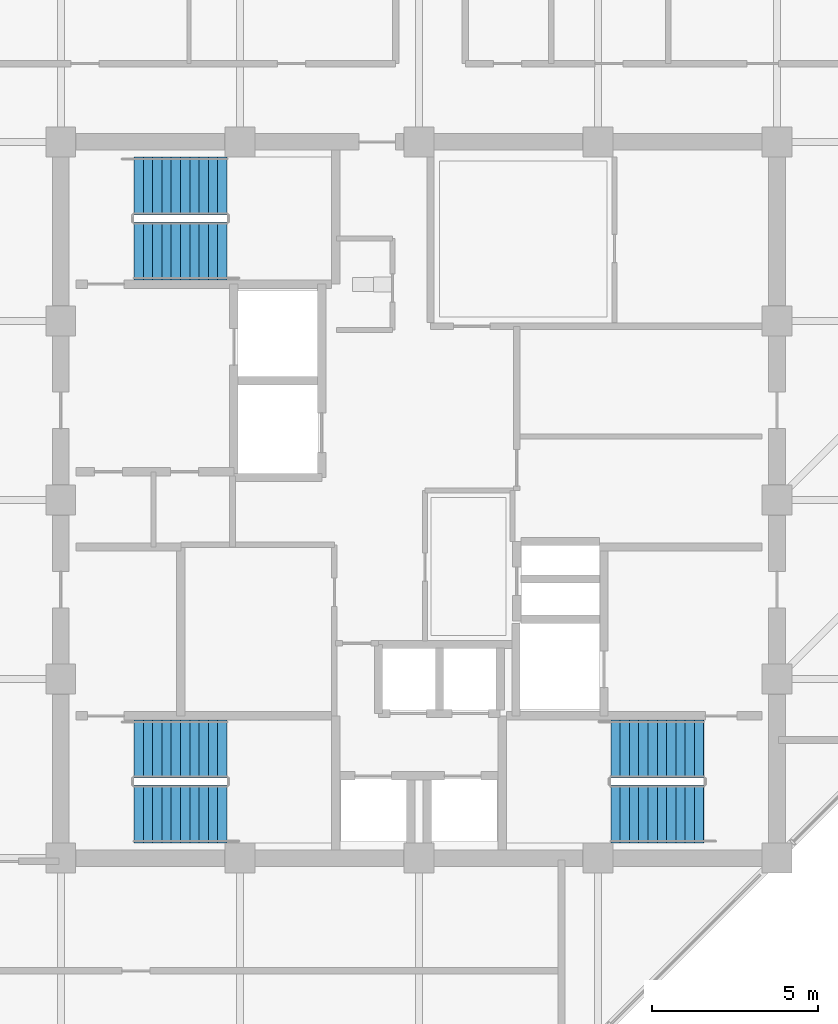
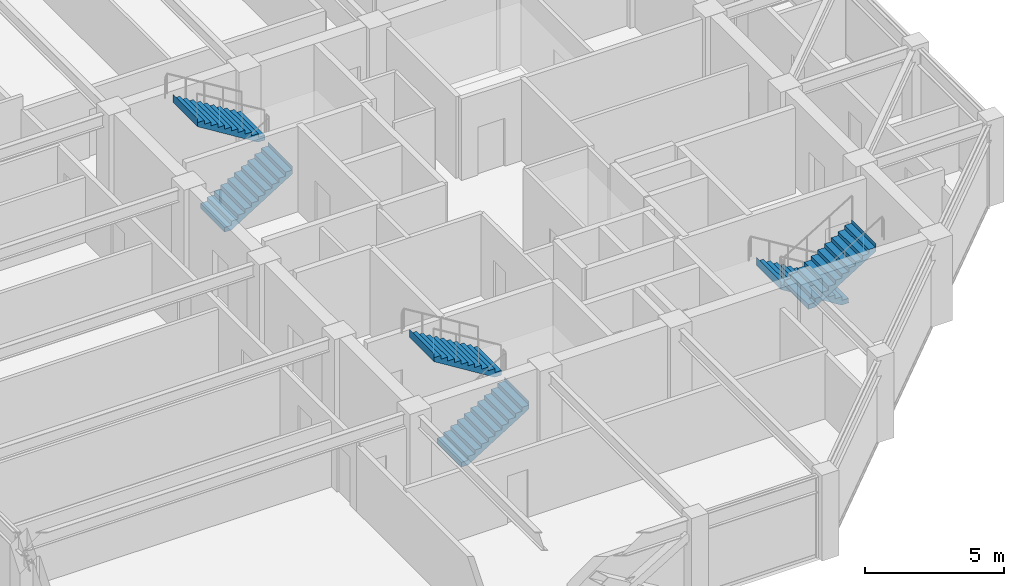
# One storey, part 29 of 31: 6 stair flights, 3 elements without a shape of their own.
"""IFC4 building model written with IfcOpenShell, lengths in metres."""

from ifc_helpers import new_model, si_unit, direction, frame, origin, place, context, subcontext, project, spatial, polyline, outline, extrude, material, type_object, element, aggregate, save


model = new_model("IFC4")

# Units and contexts
model_context = context("Model", 3, precision=1e-05, world=origin(), true_north=direction((0.0, 1.0)))
body_context = subcontext(model_context, "Body", "Model", "MODEL_VIEW")
ifc_project = project(units=[si_unit("LENGTHUNIT", "METRE"), si_unit("AREAUNIT", "SQUARE_METRE"), si_unit("VOLUMEUNIT", "CUBIC_METRE"), si_unit("PLANEANGLEUNIT", "RADIAN"), si_unit("MASSUNIT", "GRAM", prefix="KILO")], contexts=[model_context])

# Site, building, storey
site_placement = place(None, origin())
site = spatial("IfcSite", under=ifc_project, at=site_placement, CompositionType="ELEMENT")
building_placement = place(site_placement, origin())
building = spatial("IfcBuilding", under=site, at=building_placement, Name="Surkhivell Harbour Commons", CompositionType="ELEMENT")
storey_placement = place(building_placement, frame((0.0, 0.0, 330.0)))
storey = spatial("IfcBuildingStorey", under=building, at=storey_placement, Name="L86", CompositionType="ELEMENT", Elevation=330.0)

# Stair, stair flights
ifc_material = material(Name="Precast concrete C45/55", Category="concrete")
stair_type = type_object("IfcStairType", Name="STR-DL-375", PredefinedType="HALF_TURN_STAIR", material=ifc_material)
stair_1_placement = place(storey_placement, origin())
stair_1 = element("IfcStair", 1, at=stair_1_placement, inside=storey, type_object=stair_type, Name="L86 Core Exit Stair ST1", PredefinedType="HALF_TURN_STAIR")
stair_flight_type = type_object("IfcStairFlightType", Name="STF-DL-375", PredefinedType="STRAIGHT", material=ifc_material)
stair_flight_1_placement = place(storey_placement, frame((-8.590087890625, 7.514892578125, 0.0), z_axis=(0.0, 0.0, 1.0), x_axis=(1.0, 0.0, 0.0)))
stair_flight_1 = element("IfcStairFlight", 2, at=stair_flight_1_placement, type_object=stair_flight_type, Name="ST1 flight 1", NumberOfRisers=11, NumberOfTreads=10, PredefinedType="STRAIGHT", RiserHeight=0.170454545, TreadLength=0.28, context=body_context, shape_type="SweptSolid", body=[
    extrude(outline(polyline([(-0.0029296875, -0.034912109375), (-0.0029296875, 0.0), (0.0, 0.0), (0.0, 0.17041015625), (0.280029296875, 0.17041015625), (0.280029296875, 0.3408203125), (0.56005859375, 0.3408203125), (0.56005859375, 0.511474609375), (0.840087890625, 0.511474609375), (0.840087890625, 0.681884765625), (1.1201171875, 0.681884765625), (1.1201171875, 0.852294921875), (1.39990234375, 0.852294921875), (1.39990234375, 1.022705078125), (1.679931640625, 1.022705078125), (1.679931640625, 1.193115234375), (1.9599609375, 1.193115234375), (1.9599609375, 1.363525390625), (2.239990234375, 1.363525390625), (2.239990234375, 1.5341796875), (2.52001953125, 1.5341796875), (2.52001953125, 1.70458984375), (2.800048828125, 1.70458984375), (2.800048828125, 1.875), (2.802978515625, 1.875), (2.802978515625, 1.529052734375), (0.288330078125, -0.034912109375), (-0.0029296875, -0.034912109375)])), frame((0.0, 0.875, 0.0), z_axis=(0.0, -1.0, 0.0), x_axis=(1.0, 0.0, 0.0)), (0.0, 0.0, 1.0), 1.75),
])
stair_flight_2_placement = place(storey_placement, frame((-5.7900390625, 9.465087890625, 1.875), z_axis=(0.0, 0.0, 1.0), x_axis=(-1.0, 0.0, 0.0)))
stair_flight_2 = element("IfcStairFlight", 3, at=stair_flight_2_placement, type_object=stair_flight_type, Name="ST1 flight 2", NumberOfRisers=11, NumberOfTreads=10, PredefinedType="STRAIGHT", RiserHeight=0.170454545, TreadLength=0.28, context=body_context, shape_type="SweptSolid", body=[
    extrude(outline(polyline([(-0.0029296875, -0.034912109375), (-0.0029296875, 0.0), (0.0, 0.0), (0.0, 0.17041015625), (0.280029296875, 0.17041015625), (0.280029296875, 0.3408203125), (0.56005859375, 0.3408203125), (0.56005859375, 0.511474609375), (0.840087890625, 0.511474609375), (0.840087890625, 0.681884765625), (1.1201171875, 0.681884765625), (1.1201171875, 0.852294921875), (1.39990234375, 0.852294921875), (1.39990234375, 1.022705078125), (1.679931640625, 1.022705078125), (1.679931640625, 1.193115234375), (1.9599609375, 1.193115234375), (1.9599609375, 1.363525390625), (2.239990234375, 1.363525390625), (2.239990234375, 1.5341796875), (2.52001953125, 1.5341796875), (2.52001953125, 1.70458984375), (2.800048828125, 1.70458984375), (2.800048828125, 1.875), (2.802978515625, 1.875), (2.802978515625, 1.529052734375), (0.288330078125, -0.034912109375), (-0.0029296875, -0.034912109375)])), frame((0.0, 0.875, 0.0), z_axis=(0.0, -1.0, 0.0), x_axis=(1.0, 0.0, 0.0)), (0.0, 0.0, 1.0), 1.75),
])
aggregate(stair_1, [stair_flight_1, stair_flight_2])

stair_2_placement = place(storey_placement, origin())
stair_2 = element("IfcStair", 4, at=stair_2_placement, inside=storey, type_object=stair_type, Name="L86 Core Exit Stair ST2", PredefinedType="HALF_TURN_STAIR")
stair_flight_3_placement = place(storey_placement, frame((8.590087890625, -7.514892578125, 0.0), z_axis=(0.0, 0.0, 1.0), x_axis=(-1.0, 0.0, 0.0)))
stair_flight_3 = element("IfcStairFlight", 5, at=stair_flight_3_placement, type_object=stair_flight_type, Name="ST2 flight 1", NumberOfRisers=11, NumberOfTreads=10, PredefinedType="STRAIGHT", RiserHeight=0.170454545, TreadLength=0.28, context=body_context, shape_type="SweptSolid", body=[
    extrude(outline(polyline([(-0.0029296875, -0.034912109375), (-0.0029296875, 0.0), (0.0, 0.0), (0.0, 0.17041015625), (0.280029296875, 0.17041015625), (0.280029296875, 0.3408203125), (0.56005859375, 0.3408203125), (0.56005859375, 0.511474609375), (0.840087890625, 0.511474609375), (0.840087890625, 0.681884765625), (1.1201171875, 0.681884765625), (1.1201171875, 0.852294921875), (1.39990234375, 0.852294921875), (1.39990234375, 1.022705078125), (1.679931640625, 1.022705078125), (1.679931640625, 1.193115234375), (1.9599609375, 1.193115234375), (1.9599609375, 1.363525390625), (2.239990234375, 1.363525390625), (2.239990234375, 1.5341796875), (2.52001953125, 1.5341796875), (2.52001953125, 1.70458984375), (2.800048828125, 1.70458984375), (2.800048828125, 1.875), (2.802978515625, 1.875), (2.802978515625, 1.529052734375), (0.288330078125, -0.034912109375), (-0.0029296875, -0.034912109375)])), frame((0.0, 0.875, 0.0), z_axis=(0.0, -1.0, 0.0), x_axis=(1.0, 0.0, 0.0)), (0.0, 0.0, 1.0), 1.75),
])
stair_flight_4_placement = place(storey_placement, frame((5.7900390625, -9.465087890625, 1.875), z_axis=(0.0, 0.0, 1.0), x_axis=(1.0, 0.0, 0.0)))
stair_flight_4 = element("IfcStairFlight", 6, at=stair_flight_4_placement, type_object=stair_flight_type, Name="ST2 flight 2", NumberOfRisers=11, NumberOfTreads=10, PredefinedType="STRAIGHT", RiserHeight=0.170454545, TreadLength=0.28, context=body_context, shape_type="SweptSolid", body=[
    extrude(outline(polyline([(-0.0029296875, -0.034912109375), (-0.0029296875, 0.0), (0.0, 0.0), (0.0, 0.17041015625), (0.280029296875, 0.17041015625), (0.280029296875, 0.3408203125), (0.56005859375, 0.3408203125), (0.56005859375, 0.511474609375), (0.840087890625, 0.511474609375), (0.840087890625, 0.681884765625), (1.1201171875, 0.681884765625), (1.1201171875, 0.852294921875), (1.39990234375, 0.852294921875), (1.39990234375, 1.022705078125), (1.679931640625, 1.022705078125), (1.679931640625, 1.193115234375), (1.9599609375, 1.193115234375), (1.9599609375, 1.363525390625), (2.239990234375, 1.363525390625), (2.239990234375, 1.5341796875), (2.52001953125, 1.5341796875), (2.52001953125, 1.70458984375), (2.800048828125, 1.70458984375), (2.800048828125, 1.875), (2.802978515625, 1.875), (2.802978515625, 1.529052734375), (0.288330078125, -0.034912109375), (-0.0029296875, -0.034912109375)])), frame((0.0, 0.875, 0.0), z_axis=(0.0, -1.0, 0.0), x_axis=(1.0, 0.0, 0.0)), (0.0, 0.0, 1.0), 1.75),
])
aggregate(stair_2, [stair_flight_3, stair_flight_4])

stair_3_placement = place(storey_placement, origin())
stair_3 = element("IfcStair", 7, at=stair_3_placement, inside=storey, type_object=stair_type, Name="L86 Core Exit Stair ST3", PredefinedType="HALF_TURN_STAIR")
stair_flight_5_placement = place(storey_placement, frame((-8.590087890625, -9.465087890625, 0.0), z_axis=(0.0, 0.0, 1.0), x_axis=(1.0, 0.0, 0.0)))
stair_flight_5 = element("IfcStairFlight", 8, at=stair_flight_5_placement, type_object=stair_flight_type, Name="ST3 flight 1", NumberOfRisers=11, NumberOfTreads=10, PredefinedType="STRAIGHT", RiserHeight=0.170454545, TreadLength=0.28, context=body_context, shape_type="SweptSolid", body=[
    extrude(outline(polyline([(-0.0029296875, -0.034912109375), (-0.0029296875, 0.0), (0.0, 0.0), (0.0, 0.17041015625), (0.280029296875, 0.17041015625), (0.280029296875, 0.3408203125), (0.56005859375, 0.3408203125), (0.56005859375, 0.511474609375), (0.840087890625, 0.511474609375), (0.840087890625, 0.681884765625), (1.1201171875, 0.681884765625), (1.1201171875, 0.852294921875), (1.39990234375, 0.852294921875), (1.39990234375, 1.022705078125), (1.679931640625, 1.022705078125), (1.679931640625, 1.193115234375), (1.9599609375, 1.193115234375), (1.9599609375, 1.363525390625), (2.239990234375, 1.363525390625), (2.239990234375, 1.5341796875), (2.52001953125, 1.5341796875), (2.52001953125, 1.70458984375), (2.800048828125, 1.70458984375), (2.800048828125, 1.875), (2.802978515625, 1.875), (2.802978515625, 1.529052734375), (0.288330078125, -0.034912109375), (-0.0029296875, -0.034912109375)])), frame((0.0, 0.875, 0.0), z_axis=(0.0, -1.0, 0.0), x_axis=(1.0, 0.0, 0.0)), (0.0, 0.0, 1.0), 1.75),
])
stair_flight_6_placement = place(storey_placement, frame((-5.7900390625, -7.514892578125, 1.875), z_axis=(0.0, 0.0, 1.0), x_axis=(-1.0, 0.0, 0.0)))
stair_flight_6 = element("IfcStairFlight", 9, at=stair_flight_6_placement, type_object=stair_flight_type, Name="ST3 flight 2", NumberOfRisers=11, NumberOfTreads=10, PredefinedType="STRAIGHT", RiserHeight=0.170454545, TreadLength=0.28, context=body_context, shape_type="SweptSolid", body=[
    extrude(outline(polyline([(-0.0029296875, -0.034912109375), (-0.0029296875, 0.0), (0.0, 0.0), (0.0, 0.17041015625), (0.280029296875, 0.17041015625), (0.280029296875, 0.3408203125), (0.56005859375, 0.3408203125), (0.56005859375, 0.511474609375), (0.840087890625, 0.511474609375), (0.840087890625, 0.681884765625), (1.1201171875, 0.681884765625), (1.1201171875, 0.852294921875), (1.39990234375, 0.852294921875), (1.39990234375, 1.022705078125), (1.679931640625, 1.022705078125), (1.679931640625, 1.193115234375), (1.9599609375, 1.193115234375), (1.9599609375, 1.363525390625), (2.239990234375, 1.363525390625), (2.239990234375, 1.5341796875), (2.52001953125, 1.5341796875), (2.52001953125, 1.70458984375), (2.800048828125, 1.70458984375), (2.800048828125, 1.875), (2.802978515625, 1.875), (2.802978515625, 1.529052734375), (0.288330078125, -0.034912109375), (-0.0029296875, -0.034912109375)])), frame((0.0, 0.875, 0.0), z_axis=(0.0, -1.0, 0.0), x_axis=(1.0, 0.0, 0.0)), (0.0, 0.0, 1.0), 1.75),
])
aggregate(stair_3, [stair_flight_5, stair_flight_6])

save(model, "model.ifc")
